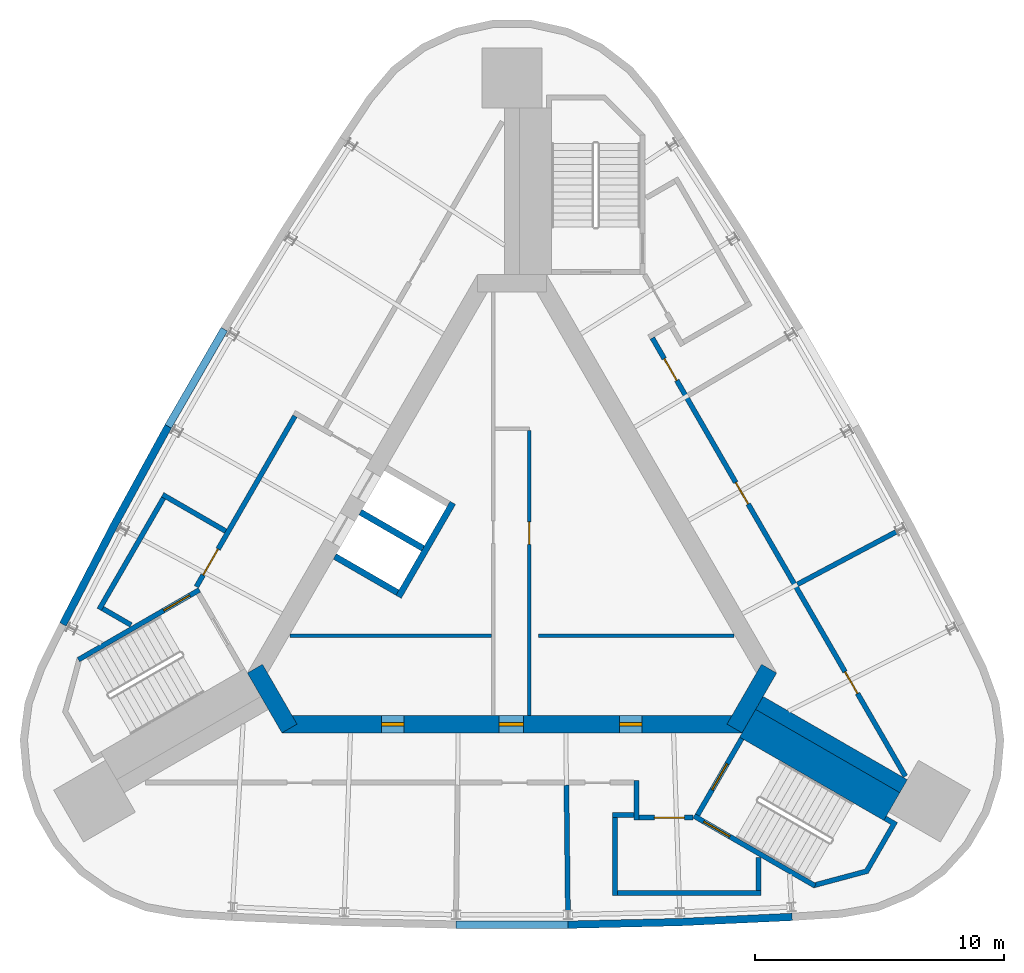
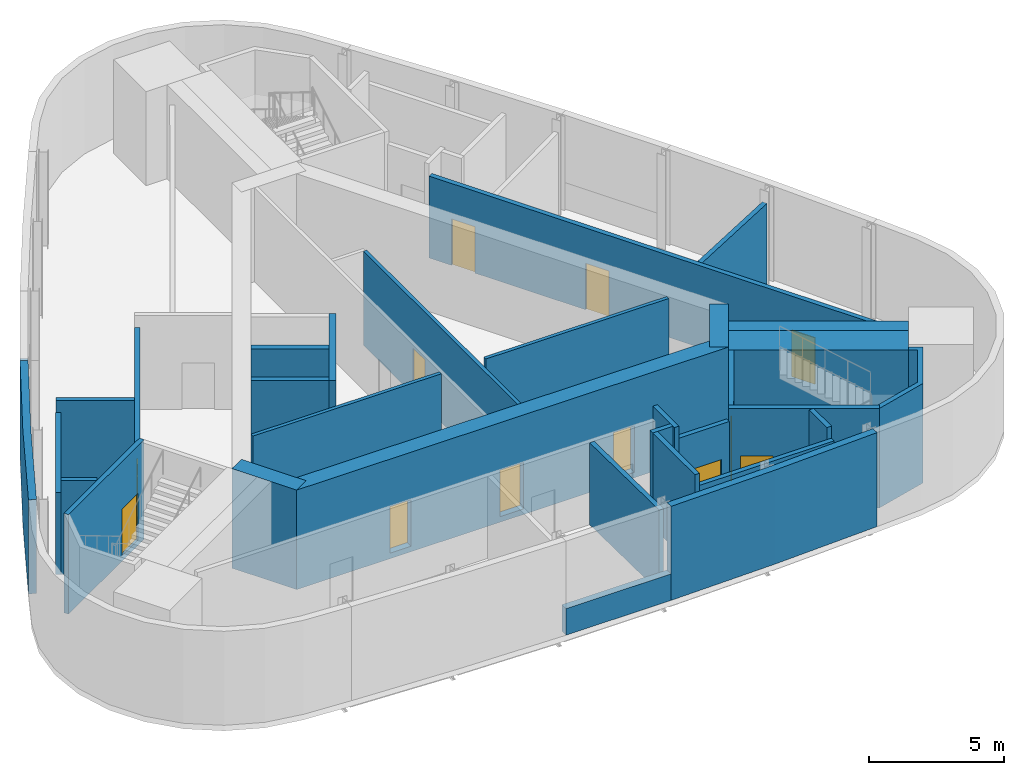
# One storey, part 4 of 7: 32 walls, 12 doors, 12 openings.
"""IFC4 building model written with IfcOpenShell, lengths in metres."""

import ifcopenshell
import ifcopenshell.guid

model = None  # the IFC model being written
_history = None  # IfcOwnerHistory: only IFC2X3 demands one
_inside = {}  # id of a spatial element -> (the spatial element, [elements in it])
_under = {}  # id of a project, library or spatial element -> (it, [spatial elements below it])
_declared = {}  # id of a project -> (the project, [libraries it declares])
_typed = {}  # id of a type object -> (the type object, [elements of that type])
_made_of = {}  # id of a material, layer set ... -> (it, [elements and type objects made of it])


def new_model(schema):
    """Start an empty IFC model of exactly this schema.

    Asked for "IFC4X3", IfcOpenShell would pick the latest addendum, in which some entities
    have other attributes; the version numbers below select the first issue.
    IFC2X3 requires an IfcOwnerHistory on every rooted entity: one is made here for all.
    """
    global model, _history
    if schema == "IFC4X3":
        model = ifcopenshell.file(schema_version=(4, 3, 0, 0))
    else:
        model = ifcopenshell.file(schema=schema)
    _inside.clear()
    _under.clear()
    _declared.clear()
    _typed.clear()
    _made_of.clear()
    _history = None
    if model.schema == "IFC2X3":
        org = make("IfcOrganization", Name="unknown")
        user = make(
            "IfcPersonAndOrganization",
            ThePerson=make("IfcPerson", FamilyName="unknown"),
            TheOrganization=org,
        )
        app = make(
            "IfcApplication",
            ApplicationDeveloper=org,
            Version="unknown",
            ApplicationFullName="unknown",
            ApplicationIdentifier="unknown",
        )
        _history = make(
            "IfcOwnerHistory",
            OwningUser=user,
            OwningApplication=app,
            ChangeAction="ADDED",
            CreationDate=0,
        )
    return model


def make(cls, **values):
    """One entity of the class cls with the attributes given. An attribute that is None is left unset."""
    return model.create_entity(
        cls, **{name: value for name, value in values.items() if value is not None}
    )


def rooted(cls, **values):
    """An entity with a GlobalId (a new one), such as an element, a storey or a relation."""
    return make(cls, GlobalId=ifcopenshell.guid.new(), OwnerHistory=_history, **values)


def si_unit(unit_type, name, prefix=None):
    """IfcSIUnit, for example si_unit("LENGTHUNIT", "METRE", prefix="MILLI")."""
    return make("IfcSIUnit", UnitType=unit_type, Prefix=prefix, Name=name)


def assignment(units):
    """IfcUnitAssignment: the units of a project."""
    return None if units is None else make("IfcUnitAssignment", Units=units)


def point(xyz):
    """IfcCartesianPoint."""
    return None if xyz is None else make("IfcCartesianPoint", Coordinates=xyz)


def direction(xyz):
    """IfcDirection."""
    return None if xyz is None else make("IfcDirection", DirectionRatios=xyz)


def frame(location, z_axis=None, x_axis=None):
    """IfcAxis2Placement3D, a coordinate frame: its origin and axes. An axis left out is left unset."""
    return make(
        "IfcAxis2Placement3D",
        Location=point(location),
        Axis=direction(z_axis),
        RefDirection=direction(x_axis),
    )


def frame_2d(location, x_axis=None):
    """IfcAxis2Placement2D, a coordinate frame in the plane: its origin and x axis."""
    return make(
        "IfcAxis2Placement2D", Location=point(location), RefDirection=direction(x_axis)
    )


def origin():
    """The frame at (0, 0, 0) with its axes left unset."""
    return frame((0.0, 0.0, 0.0))


def place(relative_to, where):
    """IfcLocalPlacement: puts the frame where relative to a parent placement (None: the world)."""
    return make(
        "IfcLocalPlacement", PlacementRelTo=relative_to, RelativePlacement=where
    )


def context(
    kind, dimensions, precision=None, world=None, true_north=None, identifier=None
):
    """IfcGeometricRepresentationContext, for example the 3D "Model" context."""
    return make(
        "IfcGeometricRepresentationContext",
        ContextIdentifier=identifier,
        ContextType=kind,
        CoordinateSpaceDimension=dimensions,
        Precision=precision,
        WorldCoordinateSystem=world,
        TrueNorth=true_north,
    )


def subcontext(parent, identifier, kind, view, scale=None):
    """IfcGeometricRepresentationSubContext, for example "Body" below "Model"."""
    return make(
        "IfcGeometricRepresentationSubContext",
        ContextIdentifier=identifier,
        ContextType=kind,
        ParentContext=parent,
        TargetScale=scale,
        TargetView=view,
    )


def project(units=None, contexts=None):
    """IfcProject with its units and contexts."""
    return rooted(
        "IfcProject",
        Name="project",
        RepresentationContexts=contexts,
        UnitsInContext=assignment(units),
    )


def spatial(cls, under=None, at=None, **own):
    """A site, building, storey or space (cls), placed at a placement, below another one or the project."""
    s = rooted(cls, ObjectPlacement=at, **own)
    if under is not None:
        _under.setdefault(under.id(), (under, []))[1].append(s)
    return s


def polyline(points):
    """IfcPolyline through the points."""
    return make("IfcPolyline", Points=[point(p) for p in points])


def profile(cls, at=None, kind="AREA", **sizes):
    """A parametric profile (cls). Its sizes go by their IFC names, for example OverallWidth=200.0."""
    return make(cls, ProfileType=kind, Position=at, **sizes)


def rectangle(**sizes):
    """IfcRectangleProfileDef."""
    return profile("IfcRectangleProfileDef", **sizes)


def outline(outer, holes=None, kind="AREA"):
    """IfcArbitraryClosedProfileDef: a profile drawn as a closed curve; with holes, ...WithVoids."""
    if holes is None:
        return make("IfcArbitraryClosedProfileDef", ProfileType=kind, OuterCurve=outer)
    return make(
        "IfcArbitraryProfileDefWithVoids",
        ProfileType=kind,
        OuterCurve=outer,
        InnerCurves=holes,
    )


def extrude(swept, where, along, depth):
    """IfcExtrudedAreaSolid: the profile swept, set in the frame where, extruded along a direction by depth."""
    return make(
        "IfcExtrudedAreaSolid",
        SweptArea=swept,
        Position=where,
        ExtrudedDirection=direction(along),
        Depth=depth,
    )


def shape(context_of_items, identifier, shape_type, items):
    """IfcShapeRepresentation: the items that make up one representation, for example the "Body"."""
    return make(
        "IfcShapeRepresentation",
        ContextOfItems=context_of_items,
        RepresentationIdentifier=identifier,
        RepresentationType=shape_type,
        Items=items,
    )


def material(Name=None, Category=None):
    """IfcMaterial."""
    return make("IfcMaterial", Name=Name, Category=Category)


def layer(
    of_material, thickness, ventilated=None, Name=None, Category=None, Priority=None
):
    """IfcMaterialLayer: one layer of a wall or slab, of a material (None: an air gap)."""
    return make(
        "IfcMaterialLayer",
        Material=of_material,
        LayerThickness=thickness,
        IsVentilated=ventilated,
        Name=Name,
        Category=Category,
        Priority=Priority,
    )


def layer_set(layers, Name=None):
    """IfcMaterialLayerSet."""
    return make("IfcMaterialLayerSet", MaterialLayers=layers, LayerSetName=Name)


def made_of(thing, what):
    """Note that an element or type object is made of a material, layer set ...; save() writes the relation."""
    if what is not None:
        _made_of.setdefault(what.id(), (what, []))[1].append(thing)
    return thing


def type_object(cls, material=None, **own):
    """A type object (cls), such as IfcWallType, which elements share."""
    return made_of(rooted(cls, **own), material)


def element(
    cls,
    number,
    at=None,
    inside=None,
    cuts=None,
    type_object=None,
    material=None,
    context=None,
    identifier="Body",
    shape_type=None,
    held_by="IfcProductDefinitionShape",
    body=None,
    shapes=None,
    **own,
):
    """One element of the class cls, such as IfcWall. Its Tag is "e" and its number.

    at: its placement. inside: the storey or other place that contains it. cuts: it is an
    opening in that element (IfcRelVoidsElement). A single representation is given by context,
    identifier, shape_type and body (its items); several are given by shapes. held_by: the class
    of the entity that holds the representations. save() writes the other relations.
    """
    e = rooted(cls, Tag="e%d" % number, ObjectPlacement=at, **own)
    if body is not None:
        shapes = [shape(context, identifier, shape_type, body)]
    if shapes is not None:
        e.Representation = make(held_by, Representations=shapes)
    if inside is not None:
        _inside.setdefault(inside.id(), (inside, []))[1].append(e)
    if cuts is not None:
        rooted(
            "IfcRelVoidsElement", RelatingBuildingElement=cuts, RelatedOpeningElement=e
        )
    if type_object is not None:
        _typed.setdefault(type_object.id(), (type_object, []))[1].append(e)
    return made_of(e, material)


def fill(opening, filler):
    """IfcRelFillsElement: the door or window that sits in an opening."""
    return rooted(
        "IfcRelFillsElement",
        RelatingOpeningElement=opening,
        RelatedBuildingElement=filler,
    )


def aggregate(whole, parts):
    """IfcRelAggregates: a whole, such as a stair, and the parts it consists of."""
    return rooted("IfcRelAggregates", RelatingObject=whole, RelatedObjects=parts)


def save(model, path):
    """Write the relations noted so far, then the file.

    IfcRelAggregates (storeys below a building ...), IfcRelContainedInSpatialStructure (elements
    in a storey), IfcRelDefinesByType, IfcRelAssociatesMaterial and IfcRelDeclares: one each for
    every whole, place, type object, material and project.
    """
    for whole, parts in _under.values():
        aggregate(whole, parts)
    for where, things in _inside.values():
        rooted(
            "IfcRelContainedInSpatialStructure",
            RelatedElements=things,
            RelatingStructure=where,
        )
    for kind, things in _typed.values():
        rooted("IfcRelDefinesByType", RelatedObjects=things, RelatingType=kind)
    for what, things in _made_of.values():
        rooted("IfcRelAssociatesMaterial", RelatedObjects=things, RelatingMaterial=what)
    for by, libraries in _declared.values():
        rooted("IfcRelDeclares", RelatingContext=by, RelatedDefinitions=libraries)
    model.write(path)


model = new_model("IFC4")

# Units and contexts
model_context = context("Model", 3, precision=1e-05, world=origin(), true_north=direction((0.0, 1.0)))
body_context = subcontext(model_context, "Body", "Model", "MODEL_VIEW")
ifc_project = project(units=[si_unit("LENGTHUNIT", "METRE"), si_unit("AREAUNIT", "SQUARE_METRE"), si_unit("VOLUMEUNIT", "CUBIC_METRE"), si_unit("PLANEANGLEUNIT", "RADIAN"), si_unit("MASSUNIT", "GRAM", prefix="KILO")], contexts=[model_context])

# Site, building, storey
site_placement = place(None, origin())
site = spatial("IfcSite", under=ifc_project, at=site_placement, CompositionType="ELEMENT")
building_placement = place(site_placement, origin())
building = spatial("IfcBuilding", under=site, at=building_placement, Name="Noor Cloister Tower", CompositionType="ELEMENT")
storey_placement = place(building_placement, frame((0.0, 0.0, 293.10009765625)))
storey = spatial("IfcBuildingStorey", under=building, at=storey_placement, Name="L74", CompositionType="ELEMENT", Elevation=293.10009765625)

# Walls
ifc_material_1 = material(Name="Concrete C50/60", Category="concrete")
ifc_layer_1 = layer(ifc_material_1, 0.60009765625)
ifc_layer_set_1 = layer_set([ifc_layer_1], Name="Buttress wall 600 C50/60")
wall_type_1 = type_object("IfcWallType", Name="Buttress wall 600 C50/60", PredefinedType="SHEAR", material=ifc_layer_set_1)
wall_1_placement = place(storey_placement, frame((9.921630859375, -5.728271484375, -0.25), z_axis=(0.0, 0.0, 1.0), x_axis=(0.866032176823, -0.499988268569, 0.0)))
element("IfcWall", 1, at=wall_1_placement, inside=storey, type_object=wall_type_1, Name="Buttress wall SE L74", PredefinedType="SHEAR", context=body_context, shape_type="SweptSolid", body=[
    extrude(rectangle(XDim=6.678466796875, YDim=0.60009765625, at=frame_2d((3.33935546875, 0.0))), origin(), (0.0, 0.0, 1.0), 4.5),
])
ifc_material_2 = material(Name="Concrete C30/37", Category="concrete")
ifc_layer_2 = layer(ifc_material_2, 0.14990234375)
ifc_layer_set_2 = layer_set([ifc_layer_2], Name="Core partition 150 C30/37")
wall_type_2 = type_object("IfcWallType", Name="Core partition 150 C30/37", PredefinedType="PARTITIONING", material=ifc_layer_set_2)
wall_2_placement = place(storey_placement, frame((-8.89501953125, -3.0283203125, 0.0), z_axis=(0.0, 0.0, 1.0), x_axis=(1.0, 0.0, 0.0)))
element("IfcWall", 2, at=wall_2_placement, inside=storey, type_object=wall_type_2, Name="Core room partition L74 1", PredefinedType="PARTITIONING", context=body_context, shape_type="SweptSolid", body=[
    extrude(rectangle(XDim=8.06640625, YDim=0.14990234375, at=frame_2d((4.033203125, 0.0))), origin(), (0.0, 0.0, 1.0), 4.25),
])

# Wall, opening, door
wall_3_placement = place(storey_placement, frame((0.6962890625, 5.19677734375, 0.0), z_axis=(0.0, 0.0, 1.0), x_axis=(0.0, -1.0, 0.0)))
wall_3 = element("IfcWall", 3, at=wall_3_placement, inside=storey, type_object=wall_type_2, Name="Core room partition L74 4", PredefinedType="PARTITIONING", context=body_context, shape_type="SweptSolid", body=[
    extrude(rectangle(XDim=11.425048828125, YDim=0.14990234375, at=frame_2d((5.71240234375, 0.0))), origin(), (0.0, 0.0, 1.0), 4.25),
])
opening_1_placement = place(wall_3_placement, frame((3.66357421875, 0.0, 0.0)))
opening_1 = element("IfcOpeningElement", 4, at=opening_1_placement, cuts=wall_3, Name="Opening L74-905", PredefinedType="OPENING", context=body_context, shape_type="SweptSolid", body=[
    extrude(rectangle(XDim=0.89990234375, YDim=2.10009765625, at=frame_2d((0.449951171875, 1.050048828125))), frame((0.0, 0.0849609375, 0.0), z_axis=(0.0, -1.0, 0.0), x_axis=(1.0, 0.0, 0.0)), (0.0, 0.0, 1.0), 0.169921875),
])
ifc_material_3 = material(Name="Steel", Category="steel")
door_type_1 = type_object("IfcDoorType", Name="Core door 900 x 2100 FD60", OperationType="SINGLE_SWING_LEFT", PredefinedType="DOOR", material=ifc_material_3)
door_1_placement = place(opening_1_placement, origin())
door_1 = element("IfcDoor", 5, at=door_1_placement, inside=storey, type_object=door_type_1, Name="Core door 5 L74", OperationType="SINGLE_SWING_LEFT", OverallHeight=2.10009765625, OverallWidth=0.89990234375, PredefinedType="DOOR", context=body_context, shape_type="SweptSolid", body=[
    extrude(rectangle(XDim=0.89990234375, YDim=2.10009765625, at=frame_2d((0.449951171875, 1.050048828125))), frame((0.0, 0.02490234375, 0.0), z_axis=(0.0, -1.0, 0.0), x_axis=(1.0, 0.0, 0.0)), (0.0, 0.0, 1.0), 0.050048828125),
])
fill(opening_1, door_1)

# Wall
wall_4_placement = place(storey_placement, frame((1.0712890625, -3.0283203125, 0.0), z_axis=(0.0, 0.0, 1.0), x_axis=(1.0, 0.0, 0.0)))
element("IfcWall", 6, at=wall_4_placement, inside=storey, type_object=wall_type_2, Name="Core room partition L74 5", PredefinedType="PARTITIONING", context=body_context, shape_type="SweptSolid", body=[
    extrude(rectangle(XDim=7.82373046875, YDim=0.14990234375, at=frame_2d((3.911865234375, 0.0))), origin(), (0.0, 0.0, 1.0), 4.25),
])

# Wall, openings, doors
ifc_material_4 = material(Name="Concrete C50/60", Category="concrete")
ifc_layer_3 = layer(ifc_material_4, 0.699951171875)
ifc_layer_set_3 = layer_set([ifc_layer_3], Name="Core wall 700 C50/60")
wall_type_3 = type_object("IfcWallType", Name="Core wall 700 C50/60", PredefinedType="SHEAR", material=ifc_layer_set_3)
wall_5_placement = place(storey_placement, frame((-9.228759765625, -6.578125, -0.25), z_axis=(0.0, 0.0, 1.0), x_axis=(1.0, 0.0, 0.0)))
wall_5 = element("IfcWall", 7, at=wall_5_placement, inside=storey, type_object=wall_type_3, Name="Core wall L74 1", PredefinedType="SHEAR", context=body_context, shape_type="SweptSolid", body=[
    extrude(rectangle(XDim=18.45751953125, YDim=0.699951171875, at=frame_2d((9.228759765625, 0.0))), origin(), (0.0, 0.0, 1.0), 4.5),
])
opening_2_placement = place(wall_5_placement, frame((8.699951171875, 0.0, 0.25)))
opening_2 = element("IfcOpeningElement", 8, at=opening_2_placement, cuts=wall_5, Name="Opening L74-901", PredefinedType="OPENING", context=body_context, shape_type="SweptSolid", body=[
    extrude(rectangle(XDim=1.0, YDim=2.10009765625, at=frame_2d((0.5, 1.050048828125))), frame((0.0, 0.35986328125, 0.0), z_axis=(0.0, -1.0, 0.0), x_axis=(1.0, 0.0, 0.0)), (0.0, 0.0, 1.0), 0.719970703125),
])
opening_3_placement = place(wall_5_placement, frame((3.989501953125, 0.0, 0.25)))
opening_3 = element("IfcOpeningElement", 9, at=opening_3_placement, cuts=wall_5, Name="Opening L74-902", PredefinedType="OPENING", context=body_context, shape_type="SweptSolid", body=[
    extrude(rectangle(XDim=0.89990234375, YDim=2.10009765625, at=frame_2d((0.449951171875, 1.050048828125))), frame((0.0, 0.35986328125, 0.0), z_axis=(0.0, -1.0, 0.0), x_axis=(1.0, 0.0, 0.0)), (0.0, 0.0, 1.0), 0.719970703125),
])
opening_4_placement = place(wall_5_placement, frame((13.539306640625, 0.0, 0.25)))
opening_4 = element("IfcOpeningElement", 10, at=opening_4_placement, cuts=wall_5, Name="Opening L74-903", PredefinedType="OPENING", context=body_context, shape_type="SweptSolid", body=[
    extrude(rectangle(XDim=0.89990234375, YDim=2.10009765625, at=frame_2d((0.449951171875, 1.050048828125))), frame((0.0, 0.35986328125, 0.0), z_axis=(0.0, -1.0, 0.0), x_axis=(1.0, 0.0, 0.0)), (0.0, 0.0, 1.0), 0.719970703125),
])
ifc_material_5 = material(Name="Steel", Category="steel")
door_type_2 = type_object("IfcDoorType", Name="Core door 1000 x 2100 FD120", OperationType="SINGLE_SWING_LEFT", PredefinedType="DOOR", material=ifc_material_5)
door_2_placement = place(opening_2_placement, origin())
door_2 = element("IfcDoor", 11, at=door_2_placement, inside=storey, type_object=door_type_2, Name="Core door 1 L74", OperationType="SINGLE_SWING_LEFT", OverallHeight=2.10009765625, OverallWidth=1.0, PredefinedType="DOOR", context=body_context, shape_type="SweptSolid", body=[
    extrude(rectangle(XDim=1.0, YDim=2.10009765625, at=frame_2d((0.5, 1.050048828125))), frame((0.0, 0.074951171875, 0.0), z_axis=(0.0, -1.0, 0.0), x_axis=(1.0, 0.0, 0.0)), (0.0, 0.0, 1.0), 0.14990234375),
])
fill(opening_2, door_2)
ifc_material_6 = material(Name="Steel", Category="steel")
door_type_3 = type_object("IfcDoorType", Name="Core door 900 x 2100 FD120", OperationType="SINGLE_SWING_LEFT", PredefinedType="DOOR", material=ifc_material_6)
door_3_placement = place(opening_3_placement, origin())
door_3 = element("IfcDoor", 12, at=door_3_placement, inside=storey, type_object=door_type_3, Name="Core door 2 L74", OperationType="SINGLE_SWING_RIGHT", OverallHeight=2.10009765625, OverallWidth=0.89990234375, PredefinedType="DOOR", context=body_context, shape_type="SweptSolid", body=[
    extrude(rectangle(XDim=0.89990234375, YDim=2.10009765625, at=frame_2d((0.449951171875, 1.050048828125))), frame((0.0, 0.074951171875, 0.0), z_axis=(0.0, -1.0, 0.0), x_axis=(1.0, 0.0, 0.0)), (0.0, 0.0, 1.0), 0.14990234375),
])
fill(opening_3, door_3)
door_4_placement = place(opening_4_placement, origin())
door_4 = element("IfcDoor", 13, at=door_4_placement, inside=storey, type_object=door_type_1, Name="Core door 3 L74", OperationType="SINGLE_SWING_LEFT", OverallHeight=2.10009765625, OverallWidth=0.89990234375, PredefinedType="DOOR", context=body_context, shape_type="SweptSolid", body=[
    extrude(rectangle(XDim=0.89990234375, YDim=2.10009765625, at=frame_2d((0.449951171875, 1.050048828125))), frame((0.0, 0.074951171875, 0.0), z_axis=(0.0, -1.0, 0.0), x_axis=(1.0, 0.0, 0.0)), (0.0, 0.0, 1.0), 0.14990234375),
])
fill(opening_4, door_4)

# Walls
for number, where, z_axis, x_axis, name in (
    (14, (8.925537109375, -6.753173828125, -0.25), (0.0, 0.0, 1.0), (0.500042739161, 0.866000726912, 0.0), "Core wall L74 2"),
    (15, (-10.311279296875, -4.353271484375, -0.25), (0.0, 0.0, 1.0), (0.500042739161, -0.866000726912, 0.0), "Core wall L74 6"),
):
    element("IfcWall", number, at=place(storey_placement, frame(where, z_axis=z_axis, x_axis=x_axis)), inside=storey, type_object=wall_type_3, Name=name, PredefinedType="SHEAR", context=body_context, shape_type="SweptSolid", body=[
        extrude(rectangle(XDim=2.771240234375, YDim=0.699951171875, at=frame_2d((1.3857421875, 0.0))), origin(), (0.0, 0.0, 1.0), 4.5),
    ])
ifc_material_7 = material(Name="Limestone", Category="masonry")
ifc_layer_4 = layer(ifc_material_7, 0.300048828125)
ifc_layer_set_4 = layer_set([ifc_layer_4], Name="Limestone panel wall 300")
wall_type_4 = type_object("IfcWallType", Name="Limestone panel wall 300", PredefinedType="NOTDEFINED", material=ifc_layer_set_4)
wall_6_placement = place(storey_placement, origin())
element("IfcWall", 16, at=wall_6_placement, inside=storey, type_object=wall_type_4, Name="Limestone crown wall L74 1b", PredefinedType="NOTDEFINED", context=body_context, shape_type="SweptSolid", body=[
    extrude(outline(polyline([(-13.919189453125, 5.438232421875), (-16.078125, 1.489990234375), (-18.14501953125, -2.507080078125), (-17.87841796875, -2.644775390625), (-15.813232421875, 1.34912109375), (-13.656005859375, 5.294189453125), (-13.919189453125, 5.438232421875)])), origin(), (0.0, 0.0, 1.0), 4.25),
])
wall_7_placement = place(storey_placement, origin())
element("IfcWall", 17, at=wall_7_placement, inside=storey, type_object=wall_type_4, Name="Limestone crown wall L74 1 lower", PredefinedType="NOTDEFINED", context=body_context, shape_type="SweptSolid", body=[
    extrude(outline(polyline([(-11.669189453125, 9.335205078125), (-13.919189453125, 5.438232421875), (-13.659423828125, 5.288330078125), (-11.409423828125, 9.185302734375), (-11.669189453125, 9.335205078125)])), origin(), (0.0, 0.0, 1.0), 1.199951171875),
])
wall_8_placement = place(storey_placement, origin())
element("IfcWall", 18, at=wall_8_placement, inside=storey, type_object=wall_type_4, Name="Limestone crown wall L74 2b", PredefinedType="NOTDEFINED", context=body_context, shape_type="SweptSolid", body=[
    extrude(outline(polyline([(2.25, -14.7734375), (6.74853515625, -14.669189453125), (11.24365234375, -14.46044921875), (11.229736328125, -14.160888671875), (6.73828125, -14.369384765625), (2.242919921875, -14.4736328125), (2.25, -14.7734375)])), origin(), (0.0, 0.0, 1.0), 4.25),
])
wall_9_placement = place(storey_placement, origin())
element("IfcWall", 19, at=wall_9_placement, inside=storey, type_object=wall_type_4, Name="Limestone crown wall L74 2 lower", PredefinedType="NOTDEFINED", context=body_context, shape_type="SweptSolid", body=[
    extrude(outline(polyline([(-2.25, -14.7734375), (2.25, -14.7734375), (2.25, -14.473388671875), (-2.25, -14.473388671875), (-2.25, -14.7734375)])), origin(), (0.0, 0.0, 1.0), 1.199951171875),
])
ifc_material_8 = material(Name="Concrete C50/60", Category="concrete")
ifc_layer_5 = layer(ifc_material_8, 0.25)
ifc_layer_set_5 = layer_set([ifc_layer_5], Name="Shaft wall 250 C50/60")
wall_type_5 = type_object("IfcWallType", Name="Shaft wall 250 C50/60", PredefinedType="PARTITIONING", material=ifc_layer_set_5)
for number, where, z_axis, x_axis, name in (
    (20, (-6.081298828125, 1.92333984375, -0.25), (0.0, 0.0, 1.0), (0.866032775405, -0.499987231761, 0.0), "Lift shaft wall L74 NW 4"),
    (21, (-7.106201171875, 0.14794921875, -0.25), (0.0, 0.0, 1.0), (0.866032775405, -0.499987231761, 0.0), "Lift shaft wall L74 NW 5"),
):
    element("IfcWall", number, at=place(storey_placement, frame(where, z_axis=z_axis, x_axis=x_axis)), inside=storey, type_object=wall_type_5, Name=name, PredefinedType="PARTITIONING", context=body_context, shape_type="SweptSolid", body=[
        extrude(rectangle(XDim=2.89990234375, YDim=0.25, at=frame_2d((1.449951171875, 0.0))), origin(), (0.0, 0.0, 1.0), 4.5),
    ])
wall_10_placement = place(storey_placement, frame((-2.3740234375, 2.29443359375, 0.0), z_axis=(0.0, 0.0, 1.0), x_axis=(-0.499996127374, -0.866027639635, 0.0)))
element("IfcWall", 22, at=wall_10_placement, inside=storey, type_object=wall_type_5, Name="Lift shaft back wall L74 NW", PredefinedType="PARTITIONING", context=body_context, shape_type="SweptSolid", body=[
    extrude(rectangle(XDim=4.35009765625, YDim=0.25, at=frame_2d((2.175048828125, 0.0))), origin(), (0.0, 0.0, 1.0), 4.25),
])
ifc_material_9 = material(Name="Concrete C50/60", Category="concrete")
ifc_layer_6 = layer(ifc_material_9, 1.285888671875)
ifc_layer_set_6 = layer_set([ifc_layer_6], Name="Stair enclosure wall 1286 C50/60")
wall_type_6 = type_object("IfcWallType", Name="Stair enclosure wall 1286 C50/60", PredefinedType="SHEAR", material=ifc_layer_set_6)
wall_11_placement = place(storey_placement, frame((9.4501953125, -6.544677734375, -0.25), z_axis=(0.0, 0.0, 1.0), x_axis=(0.866016347338, -0.500015685897, 0.0)))
element("IfcWall", 23, at=wall_11_placement, inside=storey, type_object=wall_type_6, Name="Stair enclosure wall ST3 L74 riser side", PredefinedType="SHEAR", context=body_context, shape_type="SweptSolid", body=[
    extrude(rectangle(XDim=6.678466796875, YDim=1.28564453125, at=frame_2d((3.33935546875, 0.0))), origin(), (0.0, 0.0, 1.0), 4.5),
])

# Wall, opening, door
ifc_material_10 = material(Name="Concrete C50/60", Category="concrete")
ifc_layer_7 = layer(ifc_material_10, 0.199951171875)
ifc_layer_set_7 = layer_set([ifc_layer_7], Name="Stair enclosure wall 200 C50/60")
wall_type_7 = type_object("IfcWallType", Name="Stair enclosure wall 200 C50/60", PredefinedType="SHEAR", material=ifc_layer_set_7)
wall_12_placement = place(storey_placement, frame((-12.539306640625, -1.194091796875, -0.25), z_axis=(0.0, 0.0, 1.0), x_axis=(-0.866045472092, -0.499965239061, 0.0)))
wall_12 = element("IfcWall", 24, at=wall_12_placement, inside=storey, type_object=wall_type_7, Name="Stair enclosure wall ST2 L74 outer side", PredefinedType="SHEAR", context=body_context, shape_type="SweptSolid", body=[
    extrude(rectangle(XDim=5.60009765625, YDim=0.199951171875, at=frame_2d((2.800048828125, 0.0))), origin(), (0.0, 0.0, 1.0), 4.5),
])
opening_5_placement = place(wall_12_placement, frame((0.449951171875, 0.0, 0.25)))
opening_5 = element("IfcOpeningElement", 25, at=opening_5_placement, cuts=wall_12, Name="Opening L74-ST2C", PredefinedType="OPENING", context=body_context, shape_type="SweptSolid", body=[
    extrude(rectangle(XDim=1.199951171875, YDim=2.10009765625, at=frame_2d((0.60009765625, 1.050048828125))), frame((0.0, 0.10986328125, 0.0), z_axis=(0.0, -1.0, 0.0), x_axis=(1.0, 0.0, 0.0)), (0.0, 0.0, 1.0), 0.219970703125),
])
ifc_material_11 = material(Name="Steel", Category="steel")
door_type_4 = type_object("IfcDoorType", Name="Stair door 1200 x 2100 FD120", OperationType="SINGLE_SWING_LEFT", PredefinedType="DOOR", material=ifc_material_11)
door_5_placement = place(opening_5_placement, origin())
door_5 = element("IfcDoor", 26, at=door_5_placement, inside=storey, type_object=door_type_4, Name="Stair door ST2 L74", OperationType="SINGLE_SWING_LEFT", OverallHeight=2.10009765625, OverallWidth=1.199951171875, PredefinedType="DOOR", context=body_context, shape_type="SweptSolid", body=[
    extrude(rectangle(XDim=1.199951171875, YDim=2.10009765625, at=frame_2d((0.60009765625, 1.050048828125))), frame((0.0, 0.02490234375, 0.0), z_axis=(0.0, -1.0, 0.0), x_axis=(1.0, 0.0, 0.0)), (0.0, 0.0, 1.0), 0.050048828125),
])
fill(opening_5, door_5)

wall_13_placement = place(storey_placement, frame((7.440185546875, -10.225830078125, -0.25), z_axis=(0.0, 0.0, 1.0), x_axis=(0.500022077904, 0.866012656725, 0.0)))
wall_13 = element("IfcWall", 27, at=wall_13_placement, inside=storey, type_object=wall_type_7, Name="Stair enclosure wall ST3 L74 near end", PredefinedType="SHEAR", context=body_context, shape_type="SweptSolid", body=[
    extrude(rectangle(XDim=3.550048828125, YDim=0.199951171875, at=frame_2d((1.77490234375, 0.0))), origin(), (0.0, 0.0, 1.0), 4.5),
])
opening_6_placement = place(wall_13_placement, frame((1.175048828125, 0.0, 0.25)))
opening_6 = element("IfcOpeningElement", 28, at=opening_6_placement, cuts=wall_13, Name="Opening L74-ST3L", PredefinedType="OPENING", context=body_context, shape_type="SweptSolid", body=[
    extrude(rectangle(XDim=1.199951171875, YDim=2.10009765625, at=frame_2d((0.60009765625, 1.050048828125))), frame((0.0, 0.10986328125, 0.0), z_axis=(0.0, -1.0, 0.0), x_axis=(1.0, 0.0, 0.0)), (0.0, 0.0, 1.0), 0.219970703125),
])
door_6_placement = place(opening_6_placement, origin())
door_6 = element("IfcDoor", 29, at=door_6_placement, inside=storey, type_object=door_type_4, Name="Stair door ST3 L74", OperationType="SINGLE_SWING_RIGHT", OverallHeight=2.10009765625, OverallWidth=1.199951171875, PredefinedType="DOOR", context=body_context, shape_type="SweptSolid", body=[
    extrude(rectangle(XDim=1.199951171875, YDim=2.10009765625, at=frame_2d((0.60009765625, 1.050048828125))), frame((0.0, 0.02490234375, 0.0), z_axis=(0.0, -1.0, 0.0), x_axis=(1.0, 0.0, 0.0)), (0.0, 0.0, 1.0), 0.050048828125),
])
fill(opening_6, door_6)

wall_14_placement = place(storey_placement, frame((7.3037109375, -10.262451171875, -0.25), z_axis=(0.0, 0.0, 1.0), x_axis=(0.866026594901, -0.49999793692, 0.0)))
wall_14 = element("IfcWall", 30, at=wall_14_placement, inside=storey, type_object=wall_type_7, Name="Stair enclosure wall ST3 L74 outer side", PredefinedType="SHEAR", context=body_context, shape_type="SweptSolid", body=[
    extrude(rectangle(XDim=5.60009765625, YDim=0.199951171875, at=frame_2d((2.800048828125, 0.0))), origin(), (0.0, 0.0, 1.0), 4.5),
])
opening_7_placement = place(wall_14_placement, frame((0.449951171875, 0.0, 0.25)))
opening_7 = element("IfcOpeningElement", 31, at=opening_7_placement, cuts=wall_14, Name="Opening L74-ST3C", PredefinedType="OPENING", context=body_context, shape_type="SweptSolid", body=[
    extrude(rectangle(XDim=1.199951171875, YDim=2.10009765625, at=frame_2d((0.60009765625, 1.050048828125))), frame((0.0, 0.10986328125, 0.0), z_axis=(0.0, -1.0, 0.0), x_axis=(1.0, 0.0, 0.0)), (0.0, 0.0, 1.0), 0.219970703125),
])
door_7_placement = place(opening_7_placement, origin())
door_7 = element("IfcDoor", 32, at=door_7_placement, inside=storey, type_object=door_type_4, Name="Stair door ST3 L74", OperationType="SINGLE_SWING_LEFT", OverallHeight=2.10009765625, OverallWidth=1.199951171875, PredefinedType="DOOR", context=body_context, shape_type="SweptSolid", body=[
    extrude(rectangle(XDim=1.199951171875, YDim=2.10009765625, at=frame_2d((0.60009765625, 1.050048828125))), frame((0.0, 0.02490234375, 0.0), z_axis=(0.0, -1.0, 0.0), x_axis=(1.0, 0.0, 0.0)), (0.0, 0.0, 1.0), 0.050048828125),
])
fill(opening_7, door_7)

# Walls
ifc_material_12 = material(Name="Concrete C50/60", Category="concrete")
wall_type_8 = type_object("IfcWallType", Name="Stair far end wall C50/60", PredefinedType="SHEAR", material=ifc_material_12)
wall_15_placement = place(storey_placement, frame((0.0, 0.0, -0.25)))
element("IfcWall", 33, at=wall_15_placement, inside=storey, type_object=wall_type_8, Name="Stair enclosure wall ST3 L74 far end", PredefinedType="SHEAR", context=body_context, shape_type="SweptSolid", body=[
    extrude(outline(polyline([(12.103515625, -13.14892578125), (14.2890625, -12.5634765625), (15.464111328125, -10.5283203125), (15.0126953125, -10.267578125), (14.91259765625, -10.440673828125), (15.19091796875, -10.601318359375), (14.1572265625, -12.3916015625), (12.131591796875, -12.934326171875), (12.20361328125, -12.975830078125), (12.20361328125, -12.975830078125), (12.20361328125, -12.975830078125), (12.20361328125, -12.975830078125), (12.20361328125, -12.975830078125), (12.20361328125, -12.975830078125), (12.20361328125, -12.975830078125), (12.20361328125, -12.975830078125), (12.20361328125, -12.975830078125), (12.20361328125, -12.975830078125), (12.20361328125, -12.975830078125), (12.20361328125, -12.975830078125), (12.20361328125, -12.975830078125), (12.20361328125, -12.975830078125), (12.20361328125, -12.975830078125), (12.20361328125, -12.975830078125), (12.20361328125, -12.975830078125), (12.103515625, -13.14892578125)])), origin(), (0.0, 0.0, 1.0), 4.5),
])
ifc_material_13 = material(Name="Concrete block wall, 200 mm", Category="concrete")
ifc_layer_8 = layer(ifc_material_13, 0.199951171875)
ifc_layer_set_8 = layer_set([ifc_layer_8], Name="Upper floor plant room wall 200")
wall_type_9 = type_object("IfcWallType", Name="Upper floor plant room wall 200", PredefinedType="PARTITIONING", material=ifc_layer_set_8)
wall_16_placement = place(storey_placement, frame((-14.012939453125, 2.62451171875, 0.0), z_axis=(0.0, 0.0, 1.0), x_axis=(0.866026830048, -0.499997529631, 0.0)))
element("IfcWall", 34, at=wall_16_placement, inside=storey, type_object=wall_type_9, Name="Upper floor plant room wall 200 L74 002", PredefinedType="PARTITIONING", context=body_context, shape_type="SweptSolid", body=[
    extrude(rectangle(XDim=2.91943359375, YDim=0.199951171875, at=frame_2d((1.459716796875, 0.0))), origin(), (0.0, 0.0, 1.0), 4.25),
])

# Wall, opening, door
wall_17_placement = place(storey_placement, frame((-12.657958984375, -1.06787109375, 0.0), z_axis=(0.0, 0.0, 1.0), x_axis=(0.499996073327, 0.866027670838, 0.0)))
wall_17 = element("IfcWall", 35, at=wall_17_placement, inside=storey, type_object=wall_type_9, Name="Upper floor plant room wall 200 L74 003", PredefinedType="PARTITIONING", context=body_context, shape_type="SweptSolid", body=[
    extrude(rectangle(XDim=7.90380859375, YDim=0.199951171875, at=frame_2d((3.951904296875, 0.0))), origin(), (0.0, 0.0, 1.0), 3.701904296875),
])
opening_8_placement = place(wall_17_placement, frame((0.54052734375, 0.0, 0.0)))
opening_8 = element("IfcOpeningElement", 36, at=opening_8_placement, cuts=wall_17, Name="Opening L74-003", PredefinedType="OPENING", context=body_context, shape_type="SweptSolid", body=[
    extrude(rectangle(XDim=1.199951171875, YDim=2.10009765625, at=frame_2d((0.60009765625, 1.050048828125))), frame((0.0, 0.10986328125, 0.0), z_axis=(0.0, -1.0, 0.0), x_axis=(1.0, 0.0, 0.0)), (0.0, 0.0, 1.0), 0.219970703125),
])
ifc_material_14 = material(Name="Timber door leaf with steel frame", Category="steel")
door_type_5 = type_object("IfcDoorType", Name="Protected lobby door 1200", OperationType="NOTDEFINED", PredefinedType="DOOR", material=ifc_material_14)
door_8_placement = place(opening_8_placement, origin())
door_8 = element("IfcDoor", 37, at=door_8_placement, inside=storey, type_object=door_type_5, Name="Protected lobby door 1200 L74-003", OperationType="SINGLE_SWING_LEFT", OverallHeight=2.10009765625, OverallWidth=1.199951171875, PredefinedType="DOOR", context=body_context, shape_type="SweptSolid", body=[
    extrude(rectangle(XDim=1.199951171875, YDim=2.10009765625, at=frame_2d((0.60009765625, 1.050048828125))), frame((0.0, 0.02490234375, 0.0), z_axis=(0.0, -1.0, 0.0), x_axis=(1.0, 0.0, 0.0)), (0.0, 0.0, 1.0), 0.050048828125),
])
fill(opening_8, door_8)

# Walls
wall_18_placement = place(storey_placement, frame((-16.556396484375, -1.97705078125, 0.0), z_axis=(0.0, 0.0, 1.0), x_axis=(0.499983365876, 0.866035007288, 0.0)))
element("IfcWall", 38, at=wall_18_placement, inside=storey, type_object=wall_type_9, Name="Upper floor plant room wall 200 L74 005", PredefinedType="PARTITIONING", context=body_context, shape_type="SweptSolid", body=[
    extrude(rectangle(XDim=5.156982421875, YDim=0.199951171875, at=frame_2d((2.57861328125, 0.0))), origin(), (0.0, 0.0, 1.0), 3.701904296875),
])
wall_19_placement = place(storey_placement, frame((-16.4208984375, -1.942138671875, 0.0), z_axis=(0.0, 0.0, 1.0), x_axis=(0.865991484893, -0.500058744641, 0.0)))
element("IfcWall", 39, at=wall_19_placement, inside=storey, type_object=wall_type_9, Name="Upper floor plant room wall 200 L74 006", PredefinedType="PARTITIONING", context=body_context, shape_type="SweptSolid", body=[
    extrude(rectangle(XDim=1.319580078125, YDim=0.199951171875, at=frame_2d((0.65966796875, 0.0))), origin(), (0.0, 0.0, 1.0), 4.25),
])
wall_20_placement = place(storey_placement, frame((4.03564453125, -10.228271484375, 0.0), z_axis=(0.0, 0.0, 1.0), x_axis=(1.0, 0.0, 0.0)))
element("IfcWall", 40, at=wall_20_placement, inside=storey, type_object=wall_type_9, Name="Upper floor plant room wall 200 L74 007", PredefinedType="PARTITIONING", context=body_context, shape_type="SweptSolid", body=[
    extrude(rectangle(XDim=0.8642578125, YDim=0.199951171875, at=frame_2d((0.43212890625, 0.0))), origin(), (0.0, 0.0, 1.0), 4.25),
])
wall_21_placement = place(storey_placement, frame((5.0, -10.42822265625, 0.0), z_axis=(0.0, 0.0, 1.0), x_axis=(0.0, 1.0, 0.0)))
element("IfcWall", 41, at=wall_21_placement, inside=storey, type_object=wall_type_9, Name="Upper floor plant room wall 200 L74 008", PredefinedType="PARTITIONING", context=body_context, shape_type="SweptSolid", body=[
    extrude(rectangle(XDim=1.59814453125, YDim=0.199951171875, at=frame_2d((0.799072265625, 0.0))), origin(), (0.0, 0.0, 1.0), 4.25),
])

# Wall, opening, door
wall_22_placement = place(storey_placement, frame((5.10009765625, -10.328125, 0.0), z_axis=(0.0, 0.0, 1.0), x_axis=(1.0, 0.0, 0.0)))
wall_22 = element("IfcWall", 42, at=wall_22_placement, inside=storey, type_object=wall_type_9, Name="Upper floor plant room wall 200 L74 009", PredefinedType="PARTITIONING", context=body_context, shape_type="SweptSolid", body=[
    extrude(rectangle(XDim=2.153564453125, YDim=0.199951171875, at=frame_2d((1.07666015625, 0.0))), origin(), (0.0, 0.0, 1.0), 3.701904296875),
])
opening_9_placement = place(wall_22_placement, frame((0.61474609375, 0.0, 0.0)))
opening_9 = element("IfcOpeningElement", 43, at=opening_9_placement, cuts=wall_22, Name="Opening L74-007", PredefinedType="OPENING", context=body_context, shape_type="SweptSolid", body=[
    extrude(rectangle(XDim=1.199951171875, YDim=2.10009765625, at=frame_2d((0.60009765625, 1.050048828125))), frame((0.0, 0.10986328125, 0.0), z_axis=(0.0, -1.0, 0.0), x_axis=(1.0, 0.0, 0.0)), (0.0, 0.0, 1.0), 0.219970703125),
])
door_9_placement = place(opening_9_placement, origin())
door_9 = element("IfcDoor", 44, at=door_9_placement, inside=storey, type_object=door_type_5, Name="Protected lobby door 1200 L74-007", OperationType="SINGLE_SWING_RIGHT", OverallHeight=2.10009765625, OverallWidth=1.199951171875, PredefinedType="DOOR", context=body_context, shape_type="SweptSolid", body=[
    extrude(rectangle(XDim=1.199951171875, YDim=2.10009765625, at=frame_2d((0.60009765625, 1.050048828125))), frame((0.0, 0.02490234375, 0.0), z_axis=(0.0, -1.0, 0.0), x_axis=(1.0, 0.0, 0.0)), (0.0, 0.0, 1.0), 0.050048828125),
])
fill(opening_9, door_9)

# Walls
wall_23_placement = place(storey_placement, frame((2.183349609375, -9.029296875, 0.0), z_axis=(0.0, 0.0, 1.0), x_axis=(0.011566914048, -0.999933101012, 0.0)))
element("IfcWall", 45, at=wall_23_placement, inside=storey, type_object=wall_type_9, Name="Upper floor plant room wall 200 L74 012", PredefinedType="PARTITIONING", context=body_context, shape_type="SweptSolid", body=[
    extrude(rectangle(XDim=5.04443359375, YDim=0.199951171875, at=frame_2d((2.522216796875, 0.0))), origin(), (0.0, 0.0, 1.0), 3.701904296875),
])
wall_24_placement = place(storey_placement, frame((4.133544921875, -10.328125, 0.0), z_axis=(0.0, 0.0, 1.0), x_axis=(0.0, -1.0, 0.0)))
element("IfcWall", 46, at=wall_24_placement, inside=storey, type_object=wall_type_9, Name="Upper floor plant room wall 200 L74 013", PredefinedType="PARTITIONING", context=body_context, shape_type="SweptSolid", body=[
    extrude(rectangle(XDim=3.11962890625, YDim=0.199951171875, at=frame_2d((1.559814453125, 0.0))), origin(), (0.0, 0.0, 1.0), 4.25),
])
wall_25_placement = place(storey_placement, frame((4.233642578125, -13.349853515625, 0.0), z_axis=(0.0, 0.0, 1.0), x_axis=(1.0, 0.0, 0.0)))
element("IfcWall", 47, at=wall_25_placement, inside=storey, type_object=wall_type_9, Name="Upper floor plant room wall 200 L74 014", PredefinedType="PARTITIONING", context=body_context, shape_type="SweptSolid", body=[
    extrude(rectangle(XDim=5.7568359375, YDim=0.199951171875, at=frame_2d((2.87841796875, 0.0))), origin(), (0.0, 0.0, 1.0), 3.701904296875),
])
wall_26_placement = place(storey_placement, frame((9.892578125, -13.249755859375, 0.0), z_axis=(0.0, 0.0, 1.0), x_axis=(0.0, 1.0, 0.0)))
element("IfcWall", 48, at=wall_26_placement, inside=storey, type_object=wall_type_9, Name="Upper floor plant room wall 200 L74 015", PredefinedType="PARTITIONING", context=body_context, shape_type="SweptSolid", body=[
    extrude(rectangle(XDim=1.319580078125, YDim=0.199951171875, at=frame_2d((0.65966796875, 0.0))), origin(), (0.0, 0.0, 1.0), 4.25),
])

# Wall, openings, doors
wall_27_placement = place(storey_placement, frame((5.62841796875, 8.90771484375, 0.0), z_axis=(0.0, 0.0, 1.0), x_axis=(0.500003229304, -0.866023539337, 0.0)))
wall_27 = element("IfcWall", 49, at=wall_27_placement, inside=storey, type_object=wall_type_9, Name="Upper floor plant room wall 200 L74 019", PredefinedType="PARTITIONING", context=body_context, shape_type="SweptSolid", body=[
    extrude(rectangle(XDim=20.297119140625, YDim=0.199951171875, at=frame_2d((10.1484375, 0.0))), origin(), (0.0, 0.0, 1.0), 3.701904296875),
])
opening_10_placement = place(wall_27_placement, frame((15.458984375, 0.0, 0.0)))
opening_10 = element("IfcOpeningElement", 50, at=opening_10_placement, cuts=wall_27, Name="Opening L74-008", PredefinedType="OPENING", context=body_context, shape_type="SweptSolid", body=[
    extrude(rectangle(XDim=1.0, YDim=2.10009765625, at=frame_2d((0.5, 1.050048828125))), frame((0.0, 0.10986328125, 0.0), z_axis=(0.0, -1.0, 0.0), x_axis=(1.0, 0.0, 0.0)), (0.0, 0.0, 1.0), 0.219970703125),
])
opening_11_placement = place(wall_27_placement, frame((6.688720703125, 0.0, 0.0)))
opening_11 = element("IfcOpeningElement", 51, at=opening_11_placement, cuts=wall_27, Name="Opening L74-009", PredefinedType="OPENING", context=body_context, shape_type="SweptSolid", body=[
    extrude(rectangle(XDim=1.0, YDim=2.10009765625, at=frame_2d((0.5, 1.050048828125))), frame((0.0, 0.10986328125, 0.0), z_axis=(0.0, -1.0, 0.0), x_axis=(1.0, 0.0, 0.0)), (0.0, 0.0, 1.0), 0.219970703125),
])
opening_12_placement = place(wall_27_placement, frame((0.9609375, 0.0, 0.0)))
opening_12 = element("IfcOpeningElement", 52, at=opening_12_placement, cuts=wall_27, Name="Opening L74-010", PredefinedType="OPENING", context=body_context, shape_type="SweptSolid", body=[
    extrude(rectangle(XDim=1.0, YDim=2.10009765625, at=frame_2d((0.5, 1.050048828125))), frame((0.0, 0.10986328125, 0.0), z_axis=(0.0, -1.0, 0.0), x_axis=(1.0, 0.0, 0.0)), (0.0, 0.0, 1.0), 0.219970703125),
])
ifc_material_15 = material(Name="Timber door leaf with steel frame", Category="steel")
door_type_6 = type_object("IfcDoorType", Name="Plant room door 1000", OperationType="NOTDEFINED", PredefinedType="DOOR", material=ifc_material_15)
door_10_placement = place(opening_10_placement, origin())
door_10 = element("IfcDoor", 53, at=door_10_placement, inside=storey, type_object=door_type_6, Name="Plant room door 1000 L74-008", OperationType="SINGLE_SWING_RIGHT", OverallHeight=2.10009765625, OverallWidth=1.0, PredefinedType="DOOR", context=body_context, shape_type="SweptSolid", body=[
    extrude(rectangle(XDim=1.0, YDim=2.10009765625, at=frame_2d((0.5, 1.050048828125))), frame((0.0, 0.02490234375, 0.0), z_axis=(0.0, -1.0, 0.0), x_axis=(1.0, 0.0, 0.0)), (0.0, 0.0, 1.0), 0.050048828125),
])
fill(opening_10, door_10)
door_11_placement = place(opening_11_placement, origin())
door_11 = element("IfcDoor", 54, at=door_11_placement, inside=storey, type_object=door_type_6, Name="Plant room door 1000 L74-009", OperationType="SINGLE_SWING_LEFT", OverallHeight=2.10009765625, OverallWidth=1.0, PredefinedType="DOOR", context=body_context, shape_type="SweptSolid", body=[
    extrude(rectangle(XDim=1.0, YDim=2.10009765625, at=frame_2d((0.5, 1.050048828125))), frame((0.0, 0.02490234375, 0.0), z_axis=(0.0, -1.0, 0.0), x_axis=(1.0, 0.0, 0.0)), (0.0, 0.0, 1.0), 0.050048828125),
])
fill(opening_11, door_11)
door_12_placement = place(opening_12_placement, origin())
door_12 = element("IfcDoor", 55, at=door_12_placement, inside=storey, type_object=door_type_6, Name="Plant room door 1000 L74-010", OperationType="SINGLE_SWING_LEFT", OverallHeight=2.10009765625, OverallWidth=1.0, PredefinedType="DOOR", context=body_context, shape_type="SweptSolid", body=[
    extrude(rectangle(XDim=1.0, YDim=2.10009765625, at=frame_2d((0.5, 1.050048828125))), frame((0.0, 0.02490234375, 0.0), z_axis=(0.0, -1.0, 0.0), x_axis=(1.0, 0.0, 0.0)), (0.0, 0.0, 1.0), 0.050048828125),
])
fill(opening_12, door_12)

# Wall
wall_28_placement = place(storey_placement, frame((11.451416015625, -0.970703125, 0.0), z_axis=(0.0, 0.0, 1.0), x_axis=(0.882895630062, 0.469569277548, 0.0)))
element("IfcWall", 56, at=wall_28_placement, inside=storey, type_object=wall_type_9, Name="Upper floor plant room wall 200 L74 020", PredefinedType="PARTITIONING", context=body_context, shape_type="SweptSolid", body=[
    extrude(rectangle(XDim=4.54052734375, YDim=0.199951171875, at=frame_2d((2.270263671875, 0.0))), origin(), (0.0, 0.0, 1.0), 3.701904296875),
])

save(model, "model.ifc")
